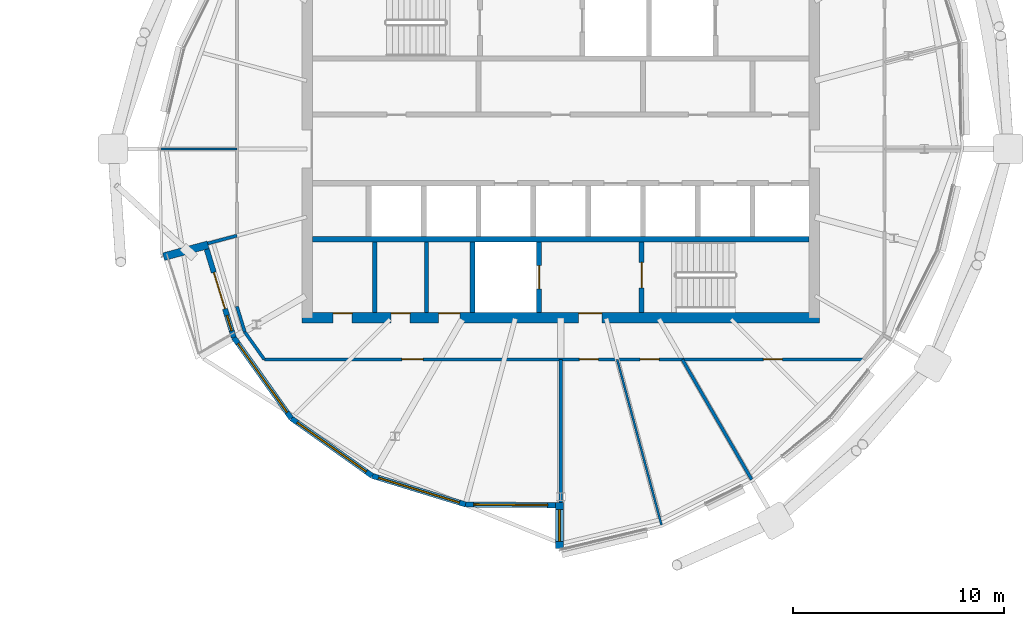
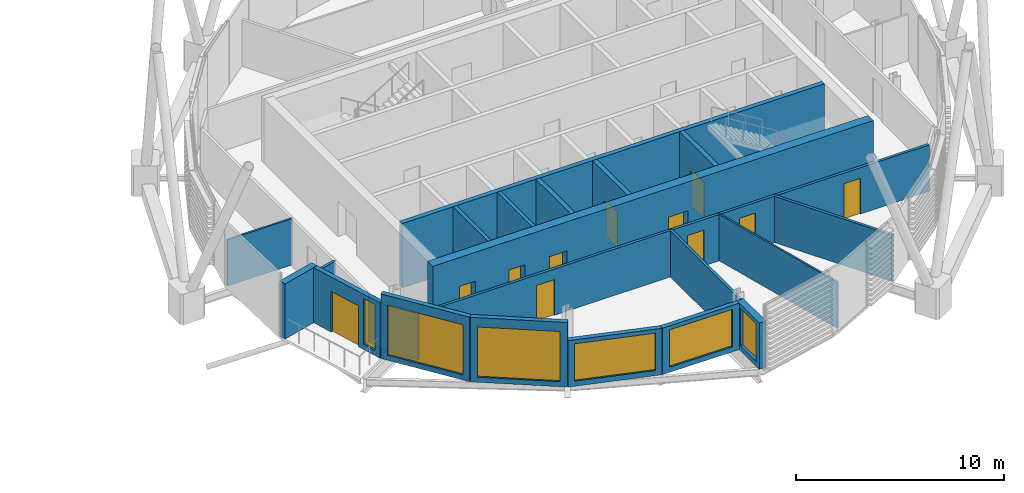
# One storey, part 21 of 31: 22 walls, 11 doors, 6 windows, 17 openings.
"""IFC4 building model written with IfcOpenShell, lengths in metres."""

from ifc_helpers import new_model, si_unit, direction, frame, frame_2d, origin, place, context, subcontext, project, spatial, rectangle, extrude, material, layer, layer_set, type_object, element, fill, save


model = new_model("IFC4")

# Units and contexts
model_context = context("Model", 3, precision=1e-05, world=origin(), true_north=direction((0.0, 1.0)))
body_context = subcontext(model_context, "Body", "Model", "MODEL_VIEW")
ifc_project = project(units=[si_unit("LENGTHUNIT", "METRE"), si_unit("AREAUNIT", "SQUARE_METRE"), si_unit("VOLUMEUNIT", "CUBIC_METRE"), si_unit("PLANEANGLEUNIT", "RADIAN"), si_unit("MASSUNIT", "GRAM", prefix="KILO")], contexts=[model_context])

# Site, building, storey
site_placement = place(None, origin())
site = spatial("IfcSite", under=ifc_project, at=site_placement, CompositionType="ELEMENT")
building_placement = place(site_placement, origin())
building = spatial("IfcBuilding", under=site, at=building_placement, Name="Rimbun Link Towers", CompositionType="ELEMENT")
storey_placement = place(building_placement, frame((0.0, 0.0, 244.699951171875)))
storey = spatial("IfcBuildingStorey", under=building, at=storey_placement, Name="L60", CompositionType="ELEMENT", Elevation=244.699951171875)

# Wall, openings, door, window
ifc_material_1 = material(Name="Dark enamelled glass spandrel on insulated aluminium backpan", Category="aluminium")
ifc_layer_1 = layer(ifc_material_1, 0.25)
ifc_layer_set_1 = layer_set([ifc_layer_1], Name="CS dark enamelled spandrel wall 250")
wall_type_1 = type_object("IfcWallType", Name="CS dark enamelled spandrel wall 250", PredefinedType="STANDARD", material=ifc_layer_set_1)
wall_1_placement = place(storey_placement, frame((16.2744140625, -8.92529296875, 0.0), z_axis=(0.0, 0.0, 1.0), x_axis=(-0.292962457371, 0.956123945193, 0.0)))
wall_1 = element("IfcWall", 1, at=wall_1_placement, inside=storey, type_object=wall_type_1, Name="Crease spandrel wall", PredefinedType="STANDARD", context=body_context, shape_type="SweptSolid", body=[
    extrude(rectangle(XDim=4.368408203125, YDim=0.25, at=frame_2d((2.18408203125, 0.0))), origin(), (0.0, 0.0, 1.0), 3.24365234375),
])
opening_1_placement = place(wall_1_placement, frame((0.33349609375, 0.0, 0.300048828125)))
opening_1 = element("IfcOpeningElement", 2, at=opening_1_placement, cuts=wall_1, Name="Opening WR08H270", PredefinedType="OPENING", context=body_context, shape_type="SweptSolid", body=[
    extrude(rectangle(XDim=0.75, YDim=2.699951171875, at=frame_2d((0.375, 1.35009765625))), frame((0.0, 0.135009765625, 0.0), z_axis=(0.0, -1.0, 0.0), x_axis=(1.0, 0.0, 0.0)), (0.0, 0.0, 1.0), 0.27001953125),
])
opening_2_placement = place(wall_1_placement, frame((1.417236328125, 0.0, 0.0)))
opening_2 = element("IfcOpeningElement", 3, at=opening_2_placement, cuts=wall_1, Name="Opening ED86", PredefinedType="OPENING", context=body_context, shape_type="SweptSolid", body=[
    extrude(rectangle(XDim=1.800048828125, YDim=2.39990234375, at=frame_2d((0.89990234375, 1.199951171875))), frame((0.0, 0.135009765625, 0.0), z_axis=(0.0, -1.0, 0.0), x_axis=(1.0, 0.0, 0.0)), (0.0, 0.0, 1.0), 0.27001953125),
])
ifc_material_2 = material(Name="Aluminium framed glazed door, low-iron glass", Category="aluminium")
door_type_1 = type_object("IfcDoorType", Name="ED terrace door double leaf 1800X2400", OperationType="DOUBLE_DOOR_SINGLE_SWING", PredefinedType="DOOR", material=ifc_material_2)
door_1_placement = place(opening_2_placement, origin())
door_1 = element("IfcDoor", 4, at=door_1_placement, inside=storey, type_object=door_type_1, Name="Terrace door", OperationType="SINGLE_SWING_LEFT", OverallHeight=2.39990234375, OverallWidth=1.800048828125, PredefinedType="DOOR", context=body_context, shape_type="SweptSolid", body=[
    extrude(rectangle(XDim=1.800048828125, YDim=2.39990234375, at=frame_2d((0.89990234375, 1.199951171875))), frame((0.0, 0.02490234375, 0.0), z_axis=(0.0, -1.0, 0.0), x_axis=(1.0, 0.0, 0.0)), (0.0, 0.0, 1.0), 0.050048828125),
])
fill(opening_2, door_1)
ifc_material_3 = material(Name="Aluminium framed fixed window, dark tinted low-e glass", Category="aluminium")
window_type_1 = type_object("IfcWindowType", Name="WR ribbon window 750X2700", PartitioningType="SINGLE_PANEL", PredefinedType="WINDOW", material=ifc_material_3)
window_1_placement = place(opening_1_placement, origin())
window_1 = element("IfcWindow", 5, at=window_1_placement, inside=storey, type_object=window_type_1, Name="Crease ribbon window", OverallHeight=2.699951171875, OverallWidth=0.75, PartitioningType="SINGLE_PANEL", PredefinedType="WINDOW", context=body_context, shape_type="SweptSolid", body=[
    extrude(rectangle(XDim=0.75, YDim=2.699951171875, at=frame_2d((0.375, 1.35009765625))), frame((0.0, 0.030029296875, 0.0), z_axis=(0.0, -1.0, 0.0), x_axis=(1.0, 0.0, 0.0)), (0.0, 0.0, 1.0), 0.06005859375),
])
fill(opening_1, window_1)

# Wall, opening, window
wall_2_placement = place(storey_placement, frame((18.99755859375, -12.75244140625, 0.0), z_axis=(0.0, 0.0, 1.0), x_axis=(-0.579752367254, 0.814792729879, 0.0)))
wall_2 = element("IfcWall", 6, at=wall_2_placement, inside=storey, type_object=wall_type_1, Name="Crease spandrel wall", PredefinedType="STANDARD", context=body_context, shape_type="SweptSolid", body=[
    extrude(rectangle(XDim=4.697021484375, YDim=0.25, at=frame_2d((2.3486328125, 0.0))), origin(), (0.0, 0.0, 1.0), 3.800048828125),
])
opening_3_placement = place(wall_2_placement, frame((0.3486328125, 0.0, 0.300048828125)))
opening_3 = element("IfcOpeningElement", 7, at=opening_3_placement, cuts=wall_2, Name="Opening WR40H295", PredefinedType="OPENING", context=body_context, shape_type="SweptSolid", body=[
    extrude(rectangle(XDim=4.0, YDim=2.949951171875, at=frame_2d((2.0, 1.47509765625))), frame((0.0, 0.135009765625, 0.0), z_axis=(0.0, -1.0, 0.0), x_axis=(1.0, 0.0, 0.0)), (0.0, 0.0, 1.0), 0.27001953125),
])
ifc_material_4 = material(Name="Aluminium framed fixed window, dark tinted low-e glass", Category="aluminium")
window_type_2 = type_object("IfcWindowType", Name="WR ribbon window 4000X2950", PartitioningType="SINGLE_PANEL", PredefinedType="WINDOW", material=ifc_material_4)
window_2_placement = place(opening_3_placement, origin())
window_2 = element("IfcWindow", 8, at=window_2_placement, inside=storey, type_object=window_type_2, Name="Crease ribbon window", OverallHeight=2.949951171875, OverallWidth=4.0, PartitioningType="SINGLE_PANEL", PredefinedType="WINDOW", context=body_context, shape_type="SweptSolid", body=[
    extrude(rectangle(XDim=4.0, YDim=2.949951171875, at=frame_2d((2.0, 1.47509765625))), frame((0.0, 0.030029296875, 0.0), z_axis=(0.0, -1.0, 0.0), x_axis=(1.0, 0.0, 0.0)), (0.0, 0.0, 1.0), 0.06005859375),
])
fill(opening_3, window_2)

wall_3_placement = place(storey_placement, frame((22.82470703125, -15.4755859375, 0.0), z_axis=(0.0, 0.0, 1.0), x_axis=(-0.814792729879, 0.579752367254, 0.0)))
wall_3 = element("IfcWall", 9, at=wall_3_placement, inside=storey, type_object=wall_type_1, Name="Crease spandrel wall", PredefinedType="STANDARD", context=body_context, shape_type="SweptSolid", body=[
    extrude(rectangle(XDim=4.697021484375, YDim=0.25, at=frame_2d((2.3486328125, 0.0))), origin(), (0.0, 0.0, 1.0), 3.800048828125),
])
opening_4_placement = place(wall_3_placement, frame((0.3486328125, 0.0, 0.300048828125)))
opening_4 = element("IfcOpeningElement", 10, at=opening_4_placement, cuts=wall_3, Name="Opening WR40H295", PredefinedType="OPENING", context=body_context, shape_type="SweptSolid", body=[
    extrude(rectangle(XDim=4.0, YDim=2.949951171875, at=frame_2d((2.0, 1.47509765625))), frame((0.0, 0.135009765625, 0.0), z_axis=(0.0, -1.0, 0.0), x_axis=(1.0, 0.0, 0.0)), (0.0, 0.0, 1.0), 0.27001953125),
])
window_3_placement = place(opening_4_placement, origin())
window_3 = element("IfcWindow", 11, at=window_3_placement, inside=storey, type_object=window_type_2, Name="Crease ribbon window", OverallHeight=2.949951171875, OverallWidth=4.0, PartitioningType="SINGLE_PANEL", PredefinedType="WINDOW", context=body_context, shape_type="SweptSolid", body=[
    extrude(rectangle(XDim=4.0, YDim=2.949951171875, at=frame_2d((2.0, 1.47509765625))), frame((0.0, 0.030029296875, 0.0), z_axis=(0.0, -1.0, 0.0), x_axis=(1.0, 0.0, 0.0)), (0.0, 0.0, 1.0), 0.06005859375),
])
fill(opening_4, window_3)

wall_4_placement = place(storey_placement, frame((27.25390625, -16.832763671875, 0.0), z_axis=(0.0, 0.0, 1.0), x_axis=(-0.956121349586, 0.292970928362, 0.0)))
wall_4 = element("IfcWall", 12, at=wall_4_placement, inside=storey, type_object=wall_type_1, Name="Crease spandrel wall", PredefinedType="STANDARD", context=body_context, shape_type="SweptSolid", body=[
    extrude(rectangle(XDim=4.632568359375, YDim=0.25, at=frame_2d((2.31640625, 0.0))), origin(), (0.0, 0.0, 1.0), 2.731689453125),
])
opening_5_placement = place(wall_4_placement, frame((0.316162109375, 0.0, 0.300048828125)))
opening_5 = element("IfcOpeningElement", 13, at=opening_5_placement, cuts=wall_4, Name="Opening WR40H220", PredefinedType="OPENING", context=body_context, shape_type="SweptSolid", body=[
    extrude(rectangle(XDim=4.0, YDim=2.199951171875, at=frame_2d((2.0, 1.10009765625))), frame((0.0, 0.135009765625, 0.0), z_axis=(0.0, -1.0, 0.0), x_axis=(1.0, 0.0, 0.0)), (0.0, 0.0, 1.0), 0.27001953125),
])
ifc_material_5 = material(Name="Aluminium framed fixed window, dark tinted low-e glass", Category="aluminium")
window_type_3 = type_object("IfcWindowType", Name="WR ribbon window 4000X2200", PartitioningType="SINGLE_PANEL", PredefinedType="WINDOW", material=ifc_material_5)
window_4_placement = place(opening_5_placement, origin())
window_4 = element("IfcWindow", 14, at=window_4_placement, inside=storey, type_object=window_type_3, Name="Crease ribbon window", OverallHeight=2.199951171875, OverallWidth=4.0, PartitioningType="SINGLE_PANEL", PredefinedType="WINDOW", context=body_context, shape_type="SweptSolid", body=[
    extrude(rectangle(XDim=4.0, YDim=2.199951171875, at=frame_2d((2.0, 1.10009765625))), frame((0.0, 0.030029296875, 0.0), z_axis=(0.0, -1.0, 0.0), x_axis=(1.0, 0.0, 0.0)), (0.0, 0.0, 1.0), 0.06005859375),
])
fill(opening_5, window_4)

wall_5_placement = place(storey_placement, frame((31.5, -16.862548828125, 0.0), z_axis=(0.0, 0.0, 1.0), x_axis=(-0.999975397764, 0.007014546833, 0.0)))
wall_5 = element("IfcWall", 15, at=wall_5_placement, inside=storey, type_object=wall_type_1, Name="Crease spandrel wall", PredefinedType="STANDARD", context=body_context, shape_type="SweptSolid", body=[
    extrude(rectangle(XDim=4.24609375, YDim=0.25, at=frame_2d((2.123046875, 0.0))), origin(), (0.0, 0.0, 1.0), 2.731689453125),
])
opening_6_placement = place(wall_5_placement, frame((0.373046875, 0.0, 0.300048828125)))
opening_6 = element("IfcOpeningElement", 16, at=opening_6_placement, cuts=wall_5, Name="Opening WR35H220", PredefinedType="OPENING", context=body_context, shape_type="SweptSolid", body=[
    extrude(rectangle(XDim=3.5, YDim=2.199951171875, at=frame_2d((1.75, 1.10009765625))), frame((0.0, 0.135009765625, 0.0), z_axis=(0.0, -1.0, 0.0), x_axis=(1.0, 0.0, 0.0)), (0.0, 0.0, 1.0), 0.27001953125),
])
ifc_material_6 = material(Name="Aluminium framed fixed window, dark tinted low-e glass", Category="aluminium")
window_type_4 = type_object("IfcWindowType", Name="WR ribbon window 3500X2200", PartitioningType="SINGLE_PANEL", PredefinedType="WINDOW", material=ifc_material_6)
window_5_placement = place(opening_6_placement, origin())
window_5 = element("IfcWindow", 17, at=window_5_placement, inside=storey, type_object=window_type_4, Name="Crease ribbon window", OverallHeight=2.199951171875, OverallWidth=3.5, PartitioningType="SINGLE_PANEL", PredefinedType="WINDOW", context=body_context, shape_type="SweptSolid", body=[
    extrude(rectangle(XDim=3.5, YDim=2.199951171875, at=frame_2d((1.75, 1.10009765625))), frame((0.0, 0.030029296875, 0.0), z_axis=(0.0, -1.0, 0.0), x_axis=(1.0, 0.0, 0.0)), (0.0, 0.0, 1.0), 0.06005859375),
])
fill(opening_6, window_5)

# Wall
ifc_material_7 = material(Name="Dark enamelled glass spandrel on insulated aluminium backpan", Category="aluminium")
ifc_layer_2 = layer(ifc_material_7, 0.3701171875)
ifc_layer_set_2 = layer_set([ifc_layer_2], Name="CS dark enamelled spandrel wall 370")
wall_type_2 = type_object("IfcWallType", Name="CS dark enamelled spandrel wall 370", PredefinedType="STANDARD", material=ifc_layer_set_2)
wall_6_placement = place(storey_placement, frame((15.058837890625, -4.539794921875, 0.0), z_axis=(0.0, 0.0, 1.0), x_axis=(-0.96592755611, -0.258812589237, 0.0)))
element("IfcWall", 18, at=wall_6_placement, inside=storey, type_object=wall_type_2, Name="Crease spandrel wall", PredefinedType="STANDARD", context=body_context, shape_type="SweptSolid", body=[
    extrude(rectangle(XDim=2.179931640625, YDim=0.3701171875, at=frame_2d((1.08984375, 0.0))), origin(), (0.0, 0.0, 1.0), 3.24365234375),
])

# Wall, opening, window
wall_7_placement = place(storey_placement, frame((31.68505859375, -18.919189453125, 0.0), z_axis=(0.0, 0.0, 1.0), x_axis=(0.0, 1.0, 0.0)))
wall_7 = element("IfcWall", 19, at=wall_7_placement, inside=storey, type_object=wall_type_2, Name="Crease spandrel wall", PredefinedType="STANDARD", context=body_context, shape_type="SweptSolid", body=[
    extrude(rectangle(XDim=2.179931640625, YDim=0.3701171875, at=frame_2d((1.08984375, 0.0))), origin(), (0.0, 0.0, 1.0), 2.731689453125),
])
opening_7_placement = place(wall_7_placement, frame((0.340087890625, 0.0, 0.300048828125)))
opening_7 = element("IfcOpeningElement", 20, at=opening_7_placement, cuts=wall_7, Name="Opening WR15H220", PredefinedType="OPENING", context=body_context, shape_type="SweptSolid", body=[
    extrude(rectangle(XDim=1.5, YDim=2.199951171875, at=frame_2d((0.75, 1.10009765625))), frame((0.0, 0.195068359375, 0.0), z_axis=(0.0, -1.0, 0.0), x_axis=(1.0, 0.0, 0.0)), (0.0, 0.0, 1.0), 0.39013671875),
])
ifc_material_8 = material(Name="Aluminium framed fixed window, dark tinted low-e glass", Category="aluminium")
window_type_5 = type_object("IfcWindowType", Name="WR ribbon window 1500X2200", PartitioningType="SINGLE_PANEL", PredefinedType="WINDOW", material=ifc_material_8)
window_6_placement = place(opening_7_placement, origin())
window_6 = element("IfcWindow", 21, at=window_6_placement, inside=storey, type_object=window_type_5, Name="Crease ribbon window", OverallHeight=2.199951171875, OverallWidth=1.5, PartitioningType="SINGLE_PANEL", PredefinedType="WINDOW", context=body_context, shape_type="SweptSolid", body=[
    extrude(rectangle(XDim=1.5, YDim=2.199951171875, at=frame_2d((0.75, 1.10009765625))), frame((0.0, 0.030029296875, 0.0), z_axis=(0.0, -1.0, 0.0), x_axis=(1.0, 0.0, 0.0)), (0.0, 0.0, 1.0), 0.06005859375),
])
fill(opening_7, window_6)

# Walls
ifc_material_9 = material(Name="Masonry blockwork", Category="masonry")
ifc_layer_3 = layer(ifc_material_9, 0.199951171875)
ifc_layer_set_3 = layer_set([ifc_layer_3], Name="Core partition 200")
wall_type_3 = type_object("IfcWallType", Name="Core partition 200", PredefinedType="PARTITIONING", material=ifc_layer_set_3)
for number, where, z_axis, x_axis, name in (
    (22, (22.949951171875, -4.39990234375, 0.0), (0.0, 0.0, 1.0), (0.0, -1.0, 0.0), "L60 T2 core wall C1"),
    (23, (25.39990234375, -4.39990234375, 0.0), (0.0, 0.0, 1.0), (0.0, -1.0, 0.0), "L60 T2 core wall C2"),
):
    element("IfcWall", number, at=place(storey_placement, frame(where, z_axis=z_axis, x_axis=x_axis)), inside=storey, type_object=wall_type_3, Name=name, PredefinedType="PARTITIONING", context=body_context, shape_type="SweptSolid", body=[
        extrude(rectangle(XDim=3.35009765625, YDim=0.199951171875, at=frame_2d((1.675048828125, 0.0))), origin(), (0.0, 0.0, 1.0), 3.800048828125),
    ])

# Wall, openings, doors
ifc_material_10 = material(Name="Concrete C60/75", Category="concrete")
ifc_layer_4 = layer(ifc_material_10, 0.5)
ifc_layer_set_4 = layer_set([ifc_layer_4], Name="Core shear wall 500")
wall_type_4 = type_object("IfcWallType", Name="Core shear wall 500", PredefinedType="SHEAR", material=ifc_layer_set_4)
wall_8_placement = place(storey_placement, frame((19.5, -8.0, 0.0), z_axis=(0.0, 0.0, 1.0), x_axis=(1.0, 0.0, 0.0)))
wall_8 = element("IfcWall", 24, at=wall_8_placement, inside=storey, type_object=wall_type_4, Name="L60 T2 core wall S", PredefinedType="SHEAR", context=body_context, shape_type="SweptSolid", body=[
    extrude(rectangle(XDim=24.5, YDim=0.5, at=frame_2d((12.25, 0.0))), origin(), (0.0, 0.0, 1.0), 3.800048828125),
])
opening_8_placement = place(wall_8_placement, frame((13.10009765625, 0.0, 0.0)))
opening_8 = element("IfcOpeningElement", 25, at=opening_8_placement, cuts=wall_8, Name="Opening C2DCF01S", PredefinedType="OPENING", context=body_context, shape_type="SweptSolid", body=[
    extrude(rectangle(XDim=1.10009765625, YDim=2.10009765625, at=frame_2d((0.550048828125, 1.050048828125))), frame((0.0, 0.260009765625, 0.0), z_axis=(0.0, -1.0, 0.0), x_axis=(1.0, 0.0, 0.0)), (0.0, 0.0, 1.0), 0.52001953125),
])
opening_9_placement = place(wall_8_placement, frame((1.47509765625, 0.0, 0.0)))
opening_9 = element("IfcOpeningElement", 26, at=opening_9_placement, cuts=wall_8, Name="Opening C2DWC02S", PredefinedType="OPENING", context=body_context, shape_type="SweptSolid", body=[
    extrude(rectangle(XDim=0.89990234375, YDim=2.10009765625, at=frame_2d((0.449951171875, 1.050048828125))), frame((0.0, 0.260009765625, 0.0), z_axis=(0.0, -1.0, 0.0), x_axis=(1.0, 0.0, 0.0)), (0.0, 0.0, 1.0), 0.52001953125),
])
opening_10_placement = place(wall_8_placement, frame((4.22509765625, 0.0, 0.0)))
opening_10 = element("IfcOpeningElement", 27, at=opening_10_placement, cuts=wall_8, Name="Opening C2DWC03S", PredefinedType="OPENING", context=body_context, shape_type="SweptSolid", body=[
    extrude(rectangle(XDim=0.89990234375, YDim=2.10009765625, at=frame_2d((0.449951171875, 1.050048828125))), frame((0.0, 0.260009765625, 0.0), z_axis=(0.0, -1.0, 0.0), x_axis=(1.0, 0.0, 0.0)), (0.0, 0.0, 1.0), 0.52001953125),
])
opening_11_placement = place(wall_8_placement, frame((6.47509765625, 0.0, 0.0)))
opening_11 = element("IfcOpeningElement", 28, at=opening_11_placement, cuts=wall_8, Name="Opening C2DAW04S", PredefinedType="OPENING", context=body_context, shape_type="SweptSolid", body=[
    extrude(rectangle(XDim=1.0, YDim=2.10009765625, at=frame_2d((0.5, 1.050048828125))), frame((0.0, 0.260009765625, 0.0), z_axis=(0.0, -1.0, 0.0), x_axis=(1.0, 0.0, 0.0)), (0.0, 0.0, 1.0), 0.52001953125),
])
ifc_material_11 = material(Name="Timber", Category="wood")
door_type_2 = type_object("IfcDoorType", Name="Accessible WC door", OperationType="SINGLE_SWING_LEFT", PredefinedType="DOOR", material=ifc_material_11)
door_2_placement = place(opening_11_placement, origin())
door_2 = element("IfcDoor", 29, at=door_2_placement, inside=storey, type_object=door_type_2, Name="L60 T2 accessible wc door", OperationType="SINGLE_SWING_LEFT", OverallHeight=2.10009765625, OverallWidth=1.0, PredefinedType="DOOR", context=body_context, shape_type="SweptSolid", body=[
    extrude(rectangle(XDim=1.0, YDim=2.10009765625, at=frame_2d((0.5, 1.050048828125))), frame((0.0, 0.25, 0.0), z_axis=(0.0, -1.0, 0.0), x_axis=(1.0, 0.0, 0.0)), (0.0, 0.0, 1.0), 0.050048828125),
])
fill(opening_11, door_2)
ifc_material_12 = material(Name="Steel fire door set", Category="steel")
door_type_3 = type_object("IfcDoorType", Name="Core fire door single", OperationType="SINGLE_SWING_LEFT", PredefinedType="DOOR", material=ifc_material_12)
door_3_placement = place(opening_8_placement, origin())
door_3 = element("IfcDoor", 30, at=door_3_placement, inside=storey, type_object=door_type_3, Name="L60 T2 firefighting lobby s door", OperationType="SINGLE_SWING_RIGHT", OverallHeight=2.10009765625, OverallWidth=1.10009765625, PredefinedType="DOOR", context=body_context, shape_type="SweptSolid", body=[
    extrude(rectangle(XDim=1.10009765625, YDim=2.10009765625, at=frame_2d((0.550048828125, 1.050048828125))), frame((0.0, 0.25, 0.0), z_axis=(0.0, -1.0, 0.0), x_axis=(1.0, 0.0, 0.0)), (0.0, 0.0, 1.0), 0.050048828125),
])
fill(opening_8, door_3)
ifc_material_13 = material(Name="Timber", Category="wood")
door_type_4 = type_object("IfcDoorType", Name="WC door", OperationType="SINGLE_SWING_LEFT", PredefinedType="DOOR", material=ifc_material_13)
door_4_placement = place(opening_9_placement, origin())
door_4 = element("IfcDoor", 31, at=door_4_placement, inside=storey, type_object=door_type_4, Name="L60 T2 male wc door", OperationType="SINGLE_SWING_RIGHT", OverallHeight=2.10009765625, OverallWidth=0.89990234375, PredefinedType="DOOR", context=body_context, shape_type="SweptSolid", body=[
    extrude(rectangle(XDim=0.89990234375, YDim=2.10009765625, at=frame_2d((0.449951171875, 1.050048828125))), frame((0.0, 0.25, 0.0), z_axis=(0.0, -1.0, 0.0), x_axis=(1.0, 0.0, 0.0)), (0.0, 0.0, 1.0), 0.050048828125),
])
fill(opening_9, door_4)
door_5_placement = place(opening_10_placement, origin())
door_5 = element("IfcDoor", 32, at=door_5_placement, inside=storey, type_object=door_type_4, Name="L60 T2 female wc door", OperationType="SINGLE_SWING_RIGHT", OverallHeight=2.10009765625, OverallWidth=0.89990234375, PredefinedType="DOOR", context=body_context, shape_type="SweptSolid", body=[
    extrude(rectangle(XDim=0.89990234375, YDim=2.10009765625, at=frame_2d((0.449951171875, 1.050048828125))), frame((0.0, 0.25, 0.0), z_axis=(0.0, -1.0, 0.0), x_axis=(1.0, 0.0, 0.0)), (0.0, 0.0, 1.0), 0.050048828125),
])
fill(opening_10, door_5)

ifc_material_14 = material(Name="Plasterboard on steel stud, mineral wool", Category="steel")
ifc_layer_5 = layer(ifc_material_14, 0.14990234375)
ifc_layer_set_5 = layer_set([ifc_layer_5], Name="Corridor wall EI 30 150 mm")
wall_type_5 = type_object("IfcWallType", Name="Corridor wall EI 30 150 mm", PredefinedType="PARTITIONING", material=ifc_layer_set_5)
wall_9_placement = place(storey_placement, frame((46.07568359375, -9.965087890625, 0.0), z_axis=(0.0, 0.0, 1.0), x_axis=(-1.0, 0.0, 0.0)))
wall_9 = element("IfcWall", 33, at=wall_9_placement, inside=storey, type_object=wall_type_5, Name="Corridor wall EI 30 150 mm", PredefinedType="PARTITIONING", context=body_context, shape_type="SweptSolid", body=[
    extrude(rectangle(XDim=28.355712890625, YDim=0.14990234375, at=frame_2d((14.177734375, 0.0))), origin(), (0.0, 0.0, 1.0), 2.72216796875),
])
opening_12_placement = place(wall_9_placement, frame((12.54052734375, 0.0, 0.0)))
opening_12 = element("IfcOpeningElement", 34, at=opening_12_placement, cuts=wall_9, Name="Opening D02", PredefinedType="OPENING", context=body_context, shape_type="SweptSolid", body=[
    extrude(rectangle(XDim=0.89990234375, YDim=2.10009765625, at=frame_2d((0.449951171875, 1.050048828125))), frame((0.0, 0.0849609375, 0.0), z_axis=(0.0, -1.0, 0.0), x_axis=(1.0, 0.0, 0.0)), (0.0, 0.0, 1.0), 0.169921875),
])
opening_13_placement = place(wall_9_placement, frame((9.663818359375, 0.0, 0.0)))
opening_13 = element("IfcOpeningElement", 35, at=opening_13_placement, cuts=wall_9, Name="Opening D02", PredefinedType="OPENING", context=body_context, shape_type="SweptSolid", body=[
    extrude(rectangle(XDim=0.89990234375, YDim=2.10009765625, at=frame_2d((0.449951171875, 1.050048828125))), frame((0.0, 0.0849609375, 0.0), z_axis=(0.0, -1.0, 0.0), x_axis=(1.0, 0.0, 0.0)), (0.0, 0.0, 1.0), 0.169921875),
])
opening_14_placement = place(wall_9_placement, frame((3.836181640625, 0.0, 0.0)))
opening_14 = element("IfcOpeningElement", 36, at=opening_14_placement, cuts=wall_9, Name="Opening D02", PredefinedType="OPENING", context=body_context, shape_type="SweptSolid", body=[
    extrude(rectangle(XDim=0.89990234375, YDim=2.10009765625, at=frame_2d((0.449951171875, 1.050048828125))), frame((0.0, 0.0849609375, 0.0), z_axis=(0.0, -1.0, 0.0), x_axis=(1.0, 0.0, 0.0)), (0.0, 0.0, 1.0), 0.169921875),
])
opening_15_placement = place(wall_9_placement, frame((20.840576171875, 0.0, 0.0)))
opening_15 = element("IfcOpeningElement", 37, at=opening_15_placement, cuts=wall_9, Name="Opening D01", PredefinedType="OPENING", context=body_context, shape_type="SweptSolid", body=[
    extrude(rectangle(XDim=1.0, YDim=2.10009765625, at=frame_2d((0.5, 1.050048828125))), frame((0.0, 0.0849609375, 0.0), z_axis=(0.0, -1.0, 0.0), x_axis=(1.0, 0.0, 0.0)), (0.0, 0.0, 1.0), 0.169921875),
])
ifc_material_15 = material(Name="Fire-resisting timber door leaf", Category="wood")
door_type_5 = type_object("IfcDoorType", Name="Fire door FD30S 1000", OperationType="NOTDEFINED", PredefinedType="DOOR", material=ifc_material_15)
door_6_placement = place(opening_15_placement, origin())
door_6 = element("IfcDoor", 38, at=door_6_placement, inside=storey, type_object=door_type_5, Name="Fire door FD30S 1000 to Terrace office", OperationType="SINGLE_SWING_RIGHT", OverallHeight=2.10009765625, OverallWidth=1.0, PredefinedType="DOOR", context=body_context, shape_type="SweptSolid", body=[
    extrude(rectangle(XDim=1.0, YDim=2.10009765625, at=frame_2d((0.5, 1.050048828125))), frame((0.0, 0.02490234375, 0.0), z_axis=(0.0, -1.0, 0.0), x_axis=(1.0, 0.0, 0.0)), (0.0, 0.0, 1.0), 0.050048828125),
])
fill(opening_15, door_6)
ifc_material_16 = material(Name="Fire-resisting timber door leaf", Category="wood")
door_type_6 = type_object("IfcDoorType", Name="Fire door FD30S 900", OperationType="NOTDEFINED", PredefinedType="DOOR", material=ifc_material_16)
door_7_placement = place(opening_12_placement, origin())
door_7 = element("IfcDoor", 39, at=door_7_placement, inside=storey, type_object=door_type_6, Name="Fire door FD30S 900 to Meeting room", OperationType="SINGLE_SWING_LEFT", OverallHeight=2.10009765625, OverallWidth=0.89990234375, PredefinedType="DOOR", context=body_context, shape_type="SweptSolid", body=[
    extrude(rectangle(XDim=0.89990234375, YDim=2.10009765625, at=frame_2d((0.449951171875, 1.050048828125))), frame((0.0, 0.02490234375, 0.0), z_axis=(0.0, -1.0, 0.0), x_axis=(1.0, 0.0, 0.0)), (0.0, 0.0, 1.0), 0.050048828125),
])
fill(opening_12, door_7)
door_8_placement = place(opening_13_placement, origin())
door_8 = element("IfcDoor", 40, at=door_8_placement, inside=storey, type_object=door_type_6, Name="Fire door FD30S 900 to Meeting room", OperationType="SINGLE_SWING_RIGHT", OverallHeight=2.10009765625, OverallWidth=0.89990234375, PredefinedType="DOOR", context=body_context, shape_type="SweptSolid", body=[
    extrude(rectangle(XDim=0.89990234375, YDim=2.10009765625, at=frame_2d((0.449951171875, 1.050048828125))), frame((0.0, 0.02490234375, 0.0), z_axis=(0.0, -1.0, 0.0), x_axis=(1.0, 0.0, 0.0)), (0.0, 0.0, 1.0), 0.050048828125),
])
fill(opening_13, door_8)
door_9_placement = place(opening_14_placement, origin())
door_9 = element("IfcDoor", 41, at=door_9_placement, inside=storey, type_object=door_type_6, Name="Fire door FD30S 900 to Meeting room", OperationType="SINGLE_SWING_LEFT", OverallHeight=2.10009765625, OverallWidth=0.89990234375, PredefinedType="DOOR", context=body_context, shape_type="SweptSolid", body=[
    extrude(rectangle(XDim=0.89990234375, YDim=2.10009765625, at=frame_2d((0.449951171875, 1.050048828125))), frame((0.0, 0.02490234375, 0.0), z_axis=(0.0, -1.0, 0.0), x_axis=(1.0, 0.0, 0.0)), (0.0, 0.0, 1.0), 0.050048828125),
])
fill(opening_14, door_9)

# Walls
wall_10_placement = place(storey_placement, frame((16.796875, -8.667724609375, 0.0), z_axis=(0.0, 0.0, 1.0), x_axis=(0.579743276124, -0.814799198446, 0.0)))
element("IfcWall", 42, at=wall_10_placement, inside=storey, type_object=wall_type_5, Name="Corridor wall EI 30 150 mm", PredefinedType="PARTITIONING", context=body_context, shape_type="SweptSolid", body=[
    extrude(rectangle(XDim=1.59228515625, YDim=0.14990234375, at=frame_2d((0.796142578125, 0.0))), origin(), (0.0, 0.0, 1.0), 2.72216796875),
])
wall_11_placement = place(storey_placement, frame((16.425048828125, -7.4541015625, 0.0), z_axis=(0.0, 0.0, 1.0), x_axis=(0.292936783144, -0.956131811562, 0.0)))
element("IfcWall", 43, at=wall_11_placement, inside=storey, type_object=wall_type_5, Name="Corridor wall EI 30 150 mm", PredefinedType="PARTITIONING", context=body_context, shape_type="SweptSolid", body=[
    extrude(rectangle(XDim=1.269287109375, YDim=0.14990234375, at=frame_2d((0.634765625, 0.0))), origin(), (0.0, 0.0, 1.0), 2.72216796875),
])
ifc_material_17 = material(Name="Plasterboard on steel stud", Category="steel")
ifc_layer_6 = layer(ifc_material_17, 0.10009765625)
ifc_layer_set_6 = layer_set([ifc_layer_6], Name="Plasterboard partition 100 mm")
wall_type_6 = type_object("IfcWallType", Name="Plasterboard partition 100 mm", PredefinedType="PARTITIONING", material=ifc_layer_set_6)
wall_12_placement = place(storey_placement, frame((36.51904296875, -17.798583984375, 0.0), z_axis=(0.0, 0.0, 1.0), x_axis=(-0.258807310343, 0.965928970532, 0.0)))
element("IfcWall", 44, at=wall_12_placement, inside=storey, type_object=wall_type_6, Name="Plasterboard partition 100 mm", PredefinedType="PARTITIONING", context=body_context, shape_type="SweptSolid", body=[
    extrude(rectangle(XDim=8.10986328125, YDim=0.10009765625, at=frame_2d((4.054931640625, 0.0))), origin(), (0.0, 0.0, 1.0), 2.72216796875),
])
wall_13_placement = place(storey_placement, frame((12.810791015625, 0.0, 0.0), z_axis=(0.0, 0.0, 1.0), x_axis=(1.0, 0.0, 0.0)))
element("IfcWall", 45, at=wall_13_placement, inside=storey, type_object=wall_type_6, Name="Plasterboard partition 100 mm", PredefinedType="PARTITIONING", context=body_context, shape_type="SweptSolid", body=[
    extrude(rectangle(XDim=3.6142578125, YDim=0.10009765625, at=frame_2d((1.80712890625, 0.0))), origin(), (0.0, 0.0, 1.0), 2.72216796875),
])
ifc_material_18 = material(Name="Concrete C60/75", Category="concrete")
ifc_layer_7 = layer(ifc_material_18, 0.25)
ifc_layer_set_7 = layer_set([ifc_layer_7], Name="Shaft wall 250")
wall_type_7 = type_object("IfcWallType", Name="Shaft wall 250", PredefinedType="SHEAR", material=ifc_layer_set_7)
wall_14_placement = place(storey_placement, frame((20.0, -4.27490234375, 0.0), z_axis=(0.0, 0.0, 1.0), x_axis=(1.0, 0.0, 0.0)))
element("IfcWall", 46, at=wall_14_placement, inside=storey, type_object=wall_type_7, Name="L60 T2 core wall BS", PredefinedType="SHEAR", context=body_context, shape_type="SweptSolid", body=[
    extrude(rectangle(XDim=23.5, YDim=0.25, at=frame_2d((11.75, 0.0))), origin(), (0.0, 0.0, 1.0), 3.800048828125),
])

# Wall, opening, door
wall_15_placement = place(storey_placement, frame((35.574951171875, -4.39990234375, 0.0), z_axis=(0.0, 0.0, 1.0), x_axis=(0.0, -1.0, 0.0)))
wall_15 = element("IfcWall", 47, at=wall_15_placement, inside=storey, type_object=wall_type_7, Name="L60 T2 core wall B1", PredefinedType="SHEAR", context=body_context, shape_type="SweptSolid", body=[
    extrude(rectangle(XDim=3.35009765625, YDim=0.25, at=frame_2d((1.675048828125, 0.0))), origin(), (0.0, 0.0, 1.0), 3.800048828125),
])
opening_16_placement = place(wall_15_placement, frame((0.97509765625, 0.0, 0.0)))
opening_16 = element("IfcOpeningElement", 48, at=opening_16_placement, cuts=wall_15, Name="Opening C2DST01B1", PredefinedType="OPENING", context=body_context, shape_type="SweptSolid", body=[
    extrude(rectangle(XDim=1.199951171875, YDim=2.10009765625, at=frame_2d((0.60009765625, 1.050048828125))), frame((0.0, 0.135009765625, 0.0), z_axis=(0.0, -1.0, 0.0), x_axis=(1.0, 0.0, 0.0)), (0.0, 0.0, 1.0), 0.27001953125),
])
ifc_material_19 = material(Name="Steel fire door set", Category="steel")
door_type_7 = type_object("IfcDoorType", Name="Stair door", OperationType="SINGLE_SWING_LEFT", PredefinedType="DOOR", material=ifc_material_19)
door_10_placement = place(opening_16_placement, origin())
door_10 = element("IfcDoor", 49, at=door_10_placement, inside=storey, type_object=door_type_7, Name="L60 T2 stair b door", OperationType="SINGLE_SWING_RIGHT", OverallHeight=2.10009765625, OverallWidth=1.199951171875, PredefinedType="DOOR", context=body_context, shape_type="SweptSolid", body=[
    extrude(rectangle(XDim=1.199951171875, YDim=2.10009765625, at=frame_2d((0.60009765625, 1.050048828125))), frame((0.0, 0.02490234375, 0.0), z_axis=(0.0, -1.0, 0.0), x_axis=(1.0, 0.0, 0.0)), (0.0, 0.0, 1.0), 0.050048828125),
])
fill(opening_16, door_10)

wall_16_placement = place(storey_placement, frame((30.72509765625, -4.39990234375, 0.0), z_axis=(0.0, 0.0, 1.0), x_axis=(0.0, -1.0, 0.0)))
wall_16 = element("IfcWall", 50, at=wall_16_placement, inside=storey, type_object=wall_type_7, Name="L60 T2 core wall B2", PredefinedType="SHEAR", context=body_context, shape_type="SweptSolid", body=[
    extrude(rectangle(XDim=3.35009765625, YDim=0.25, at=frame_2d((1.675048828125, 0.0))), origin(), (0.0, 0.0, 1.0), 3.800048828125),
])
opening_17_placement = place(wall_16_placement, frame((1.125, 0.0, 0.0)))
opening_17 = element("IfcOpeningElement", 51, at=opening_17_placement, cuts=wall_16, Name="Opening LD-T2-FF2", PredefinedType="OPENING", context=body_context, shape_type="SweptSolid", body=[
    extrude(rectangle(XDim=1.10009765625, YDim=2.10009765625, at=frame_2d((0.550048828125, 1.050048828125))), frame((0.0, 0.135009765625, 0.0), z_axis=(0.0, -1.0, 0.0), x_axis=(1.0, 0.0, 0.0)), (0.0, 0.0, 1.0), 0.27001953125),
])
ifc_material_20 = material(Name="Stainless steel grade 316", Category="steel")
door_type_8 = type_object("IfcDoorType", Name="Lift landing door", OperationType="DOUBLE_DOOR_SLIDING", PredefinedType="DOOR", material=ifc_material_20)
door_11_placement = place(opening_17_placement, origin())
door_11 = element("IfcDoor", 52, at=door_11_placement, inside=storey, type_object=door_type_8, Name="L60 T2 lift FF2 landing door", OperationType="DOUBLE_DOOR_SLIDING", OverallHeight=2.10009765625, OverallWidth=1.10009765625, PredefinedType="DOOR", context=body_context, shape_type="SweptSolid", body=[
    extrude(rectangle(XDim=1.10009765625, YDim=2.10009765625, at=frame_2d((0.550048828125, 1.050048828125))), frame((0.0, 0.02490234375, 0.0), z_axis=(0.0, -1.0, 0.0), x_axis=(1.0, 0.0, 0.0)), (0.0, 0.0, 1.0), 0.050048828125),
])
fill(opening_17, door_11)

# Walls
wall_17_placement = place(storey_placement, frame((27.574951171875, -4.39990234375, 0.0), z_axis=(0.0, 0.0, 1.0), x_axis=(0.0, -1.0, 0.0)))
element("IfcWall", 53, at=wall_17_placement, inside=storey, type_object=wall_type_7, Name="L60 T2 core wall B3", PredefinedType="SHEAR", context=body_context, shape_type="SweptSolid", body=[
    extrude(rectangle(XDim=3.35009765625, YDim=0.25, at=frame_2d((1.675048828125, 0.0))), origin(), (0.0, 0.0, 1.0), 3.800048828125),
])
ifc_material_21 = material(Name="Plasterboard on steel stud, mineral wool", Category="steel")
ifc_layer_8 = layer(ifc_material_21, 0.14990234375)
ifc_layer_set_8 = layer_set([ifc_layer_8], Name="Tenancy separation wall EI 60 150 mm")
wall_type_8 = type_object("IfcWallType", Name="Tenancy separation wall EI 60 150 mm", PredefinedType="PARTITIONING", material=ifc_layer_set_8)
wall_18_placement = place(storey_placement, frame((16.425048828125, -4.1064453125, 0.0), z_axis=(0.0, 0.0, 1.0), x_axis=(-0.965965552286, -0.258670740127, 0.0)))
element("IfcWall", 54, at=wall_18_placement, inside=storey, type_object=wall_type_8, Name="Tenancy separation wall EI 60 150 mm", PredefinedType="PARTITIONING", context=body_context, shape_type="SweptSolid", body=[
    extrude(rectangle(XDim=1.431884765625, YDim=0.14990234375, at=frame_2d((0.7158203125, 0.0))), origin(), (0.0, 0.0, 1.0), 2.72216796875),
])
wall_19_placement = place(storey_placement, frame((31.75, -9.965087890625, 0.0), z_axis=(0.0, 0.0, 1.0), x_axis=(0.0, -1.0, 0.0)))
element("IfcWall", 55, at=wall_19_placement, inside=storey, type_object=wall_type_8, Name="Tenancy separation wall EI 60 150 mm", PredefinedType="PARTITIONING", context=body_context, shape_type="SweptSolid", body=[
    extrude(rectangle(XDim=6.774169921875, YDim=0.14990234375, at=frame_2d((3.38720703125, 0.0))), origin(), (0.0, 0.0, 1.0), 2.72216796875),
])
wall_20_placement = place(storey_placement, frame((37.50341796875, -9.965087890625, 0.0), z_axis=(0.0, 0.0, 1.0), x_axis=(0.499995874514, -0.866027785622, 0.0)))
element("IfcWall", 56, at=wall_20_placement, inside=storey, type_object=wall_type_8, Name="Tenancy separation wall EI 60 150 mm", PredefinedType="PARTITIONING", context=body_context, shape_type="SweptSolid", body=[
    extrude(rectangle(XDim=6.56982421875, YDim=0.14990234375, at=frame_2d((3.284912109375, 0.0))), origin(), (0.0, 0.0, 1.0), 2.72216796875),
])

save(model, "model.ifc")
